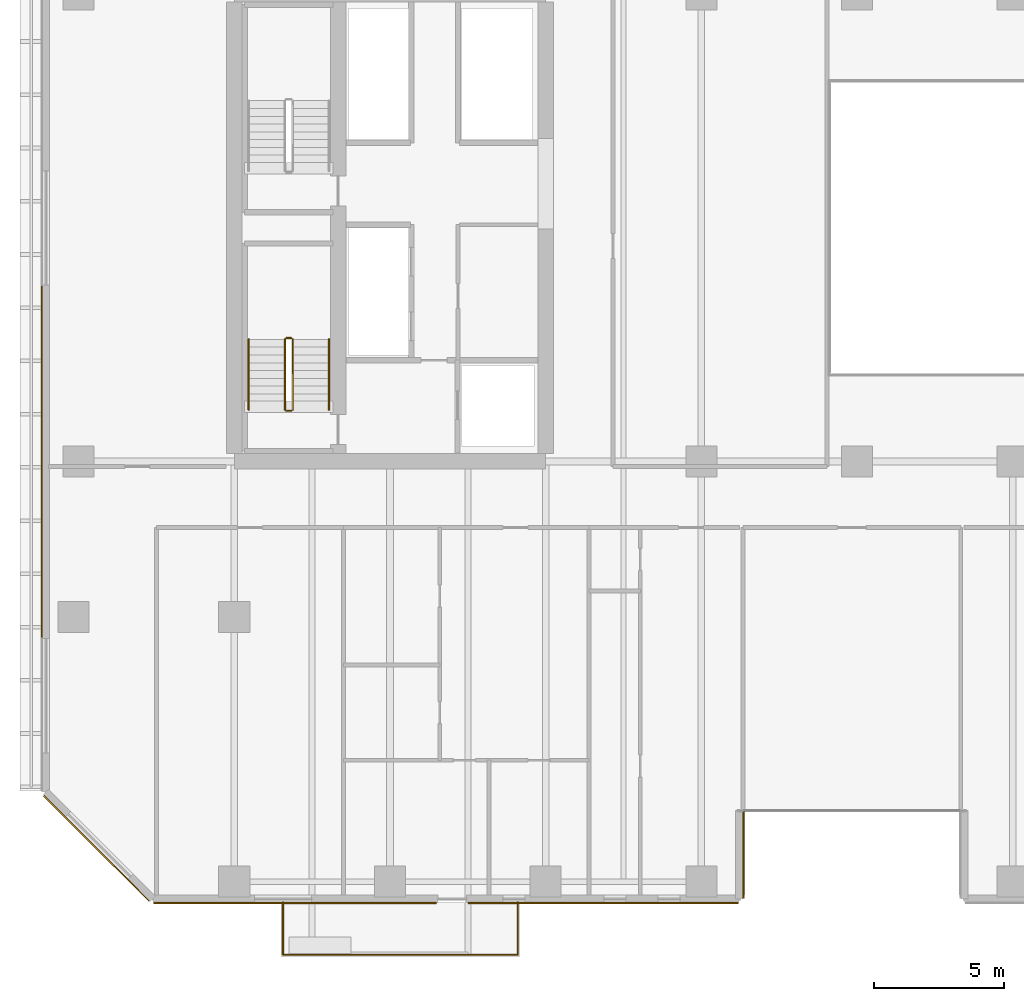
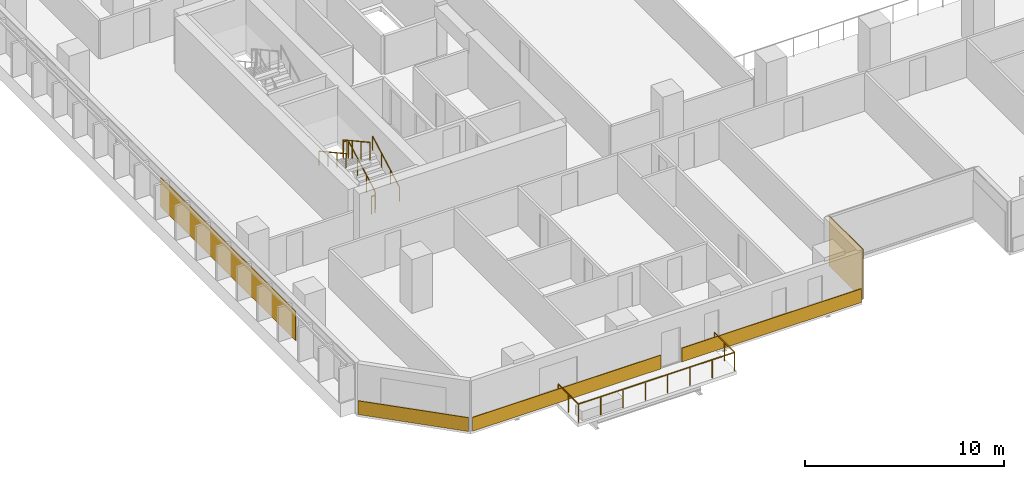
# One storey, part 18 of 26: 7 railings, 5 coverings.
"""IFC4 building model written with IfcOpenShell, lengths in metres."""

from ifc_helpers import new_model, si_unit, direction, frame, origin, origin_2d, place, context, subcontext, project, spatial, rectangle, extrude, material, layer, layer_set, type_object, element, save


model = new_model("IFC4")

# Units and contexts
model_context = context("Model", 3, precision=1e-05, world=origin(), true_north=direction((0.0, 1.0)))
body_context = subcontext(model_context, "Body", "Model", "MODEL_VIEW")
ifc_project = project(units=[si_unit("LENGTHUNIT", "METRE"), si_unit("AREAUNIT", "SQUARE_METRE"), si_unit("VOLUMEUNIT", "CUBIC_METRE"), si_unit("PLANEANGLEUNIT", "RADIAN"), si_unit("MASSUNIT", "GRAM", prefix="KILO")], contexts=[model_context])

# Site, building, storey
site_placement = place(None, origin())
site = spatial("IfcSite", under=ifc_project, at=site_placement, CompositionType="ELEMENT")
building_placement = place(site_placement, origin())
building = spatial("IfcBuilding", under=site, at=building_placement, Name="Tanjung Sevakor Pilgrim Tower", CompositionType="ELEMENT")
storey_placement = place(building_placement, frame((0.0, 0.0, 48.840087890625)))
storey = spatial("IfcBuildingStorey", under=building, at=storey_placement, Name="L13", CompositionType="ELEMENT", Elevation=48.840087890625)

# Coverings
ifc_material_1 = material(Name="Reconstructed Limestone Cladding", Category="masonry")
ifc_layer = layer(ifc_material_1, 0.044921875)
ifc_layer_set = layer_set([ifc_layer], Name="COV-CLAD-LIMESTONE")
covering_type = type_object("IfcCoveringType", Name="COV-CLAD-LIMESTONE", PredefinedType="CLADDING", material=ifc_layer_set)
covering_1_placement = place(storey_placement, frame((26.343994140625, 7.577392578125, 0.009765625), z_axis=(0.0, 0.0, 1.0), x_axis=(1.0, 0.0, 0.0)))
element("IfcCovering", 1, at=covering_1_placement, inside=storey, type_object=covering_type, Name="L13 Warm Limestone Sill Spandrel EW-L13-MAIN-1-1", PredefinedType="CLADDING", context=body_context, shape_type="SweptSolid", body=[
    extrude(rectangle(XDim=10.89208984375, YDim=0.044921875, at=origin_2d()), origin(), (0.0, 0.0, 1.0), 0.840087890625),
])
covering_2_placement = place(storey_placement, frame((38.215087890625, 7.577392578125, 0.009765625), z_axis=(0.0, 0.0, 1.0), x_axis=(1.0, 0.0, 0.0)))
element("IfcCovering", 2, at=covering_2_placement, inside=storey, type_object=covering_type, Name="L13 Warm Limestone Sill Spandrel EW-L13-MAIN-1-2", PredefinedType="CLADDING", context=body_context, shape_type="SweptSolid", body=[
    extrude(rectangle(XDim=10.409912109375, YDim=0.044921875, at=origin_2d()), origin(), (0.0, 0.0, 1.0), 0.840087890625),
])
covering_3_placement = place(storey_placement, frame((43.62255859375, 9.43994140625, 0.019775390625), z_axis=(0.0, 0.0, 1.0), x_axis=(0.0, 1.0, 0.0)))
element("IfcCovering", 3, at=covering_3_placement, inside=storey, type_object=covering_type, Name="L13 Warm Limestone Wall Cladding EW-L13-MAIN-2", PredefinedType="CLADDING", context=body_context, shape_type="SweptSolid", body=[
    extrude(rectangle(XDim=3.360107421875, YDim=0.044921875, at=origin_2d()), origin(), (0.0, 0.0, 1.0), 3.0400390625),
])
covering_4_placement = place(storey_placement, frame((16.577392578125, 24.58447265625, 0.849853515625), z_axis=(0.0, 0.0, 1.0), x_axis=(0.0, -1.0, 0.0)))
element("IfcCovering", 4, at=covering_4_placement, inside=storey, type_object=covering_type, Name="L13 Warm Limestone Pier Panel EW-L13-MAIN-15-2", PredefinedType="CLADDING", context=body_context, shape_type="SweptSolid", body=[
    extrude(rectangle(XDim=13.531005859375, YDim=0.044921875, at=origin_2d()), origin(), (0.0, 0.0, 1.0), 1.81005859375),
])
covering_5_placement = place(storey_placement, frame((18.68408203125, 9.68408203125, 0.009765625), z_axis=(0.0, 0.0, 1.0), x_axis=(0.707106781187, -0.707106781187, 0.0)))
element("IfcCovering", 5, at=covering_5_placement, inside=storey, type_object=covering_type, Name="L13 Warm Limestone Sill Spandrel EW-CHM-L13-MAIN-15-1", PredefinedType="CLADDING", context=body_context, shape_type="SweptSolid", body=[
    extrude(rectangle(XDim=5.74365234375, YDim=0.044921875, at=origin_2d()), origin(), (0.0, 0.0, 1.0), 0.840087890625),
])

# Railings
ifc_material_2 = material(Name="Laminated Glass and Aluminium", Category="aluminium")
railing_type_1 = type_object("IfcRailingType", Name="RL-BAL-BALUST", PredefinedType="BALUSTRADE", material=ifc_material_2)
railing_1_placement = place(storey_placement, frame((25.8798828125, 7.60009765625, 0.0)))
element("IfcRailing", 6, at=railing_1_placement, inside=storey, type_object=railing_type_1, Name="L13 Loggia Balustrade MAIN-S1", PredefinedType="BALUSTRADE", context=body_context, shape_type="SweptSolid", body=[
    extrude(rectangle(XDim=0.0479, YDim=0.0479), frame((0.0, 0.0, 1.1259765625), z_axis=(0.0, -1.0, 0.0), x_axis=(1.0, 0.0, 0.0)), (0.0, 0.0, 1.0), 2.02001953125),
    extrude(rectangle(XDim=0.0479, YDim=0.0479), frame((0.0, -2.02001953125, 1.1259765625), z_axis=(1.0, 0.0, 0.0), x_axis=(0.0, 1.0, 0.0)), (0.0, 0.0, 1.0), 9.0400390625),
    extrude(rectangle(XDim=0.0479, YDim=0.0479), frame((9.0400390625, -2.02001953125, 1.1259765625), z_axis=(0.0, 1.0, 0.0), x_axis=(-1.0, 0.0, 0.0)), (0.0, 0.0, 1.0), 2.02001953125),
    extrude(rectangle(XDim=0.042, YDim=0.042), origin(), (0.0, 0.0, 1.0), 1.101806640625),
    extrude(rectangle(XDim=0.042, YDim=0.042), frame((0.0, -1.010009765625, 0.0)), (0.0, 0.0, 1.0), 1.101806640625),
    extrude(rectangle(XDim=0.042, YDim=0.042), frame((0.0, -2.02001953125, 0.0)), (0.0, 0.0, 1.0), 1.101806640625),
    extrude(rectangle(XDim=0.042, YDim=0.042), frame((1.29150390625, -2.02001953125, 0.0)), (0.0, 0.0, 1.0), 1.101806640625),
    extrude(rectangle(XDim=0.042, YDim=0.042), frame((2.582763671875, -2.02001953125, 0.0)), (0.0, 0.0, 1.0), 1.101806640625),
    extrude(rectangle(XDim=0.042, YDim=0.042), frame((3.874267578125, -2.02001953125, 0.0)), (0.0, 0.0, 1.0), 1.101806640625),
    extrude(rectangle(XDim=0.042, YDim=0.042), frame((5.165771484375, -2.02001953125, 0.0)), (0.0, 0.0, 1.0), 1.101806640625),
    extrude(rectangle(XDim=0.042, YDim=0.042), frame((6.457275390625, -2.02001953125, 0.0)), (0.0, 0.0, 1.0), 1.101806640625),
    extrude(rectangle(XDim=0.042, YDim=0.042), frame((7.74853515625, -2.02001953125, 0.0)), (0.0, 0.0, 1.0), 1.101806640625),
    extrude(rectangle(XDim=0.042, YDim=0.042), frame((9.0400390625, -2.02001953125, 0.0)), (0.0, 0.0, 1.0), 1.101806640625),
    extrude(rectangle(XDim=0.042, YDim=0.042), frame((9.0400390625, -1.010009765625, 0.0)), (0.0, 0.0, 1.0), 1.101806640625),
    extrude(rectangle(XDim=0.042, YDim=0.042), frame((9.0400390625, 0.0, 0.0)), (0.0, 0.0, 1.0), 1.101806640625),
])
ifc_material_3 = material(Name="Steel S355J2", Category="steel")
railing_type_2 = type_object("IfcRailingType", Name="RL-STAIR-GUARD", PredefinedType="GUARDRAIL", material=ifc_material_3)
railing_2_placement = place(storey_placement, frame((26.25, 26.60009765625, 0.164794921875)))
element("IfcRailing", 7, at=railing_2_placement, inside=storey, type_object=railing_type_2, Name="L13 TS-W1 stair guard 1", PredefinedType="GUARDRAIL", context=body_context, shape_type="SweptSolid", body=[
    extrude(rectangle(XDim=0.0479, YDim=0.0479), frame((0.0, 0.0, 1.076171875), z_axis=(0.0, 0.876197507361, 0.481952205197), x_axis=(-1.0, 0.0, 0.0)), (0.0, 0.0, 1.0), 3.08154296875),
    extrude(rectangle(XDim=0.042, YDim=0.042), origin(), (0.0, 0.0, 1.0), 1.052001953125),
    extrude(rectangle(XDim=0.042, YDim=0.042), frame((0.0, 0.89990234375, 0.4951171875)), (0.0, 0.0, 1.0), 1.052001953125),
    extrude(rectangle(XDim=0.042, YDim=0.042), frame((0.0, 1.800048828125, 0.989990234375)), (0.0, 0.0, 1.0), 1.052001953125),
    extrude(rectangle(XDim=0.042, YDim=0.042), frame((0.0, 2.699951171875, 1.485107421875)), (0.0, 0.0, 1.0), 1.052001953125),
])
railing_3_placement = place(storey_placement, frame((26.199951171875, 29.35009765625, 1.64990234375)))
element("IfcRailing", 8, at=railing_3_placement, inside=storey, type_object=railing_type_2, Name="L13 TS-W1 stair guard 2", PredefinedType="GUARDRAIL", context=body_context, shape_type="SweptSolid", body=[
    extrude(rectangle(XDim=0.0479, YDim=0.0479), frame((0.0, 0.0, 1.076171875), z_axis=(-1.0, 0.0, 0.0), x_axis=(0.0, -1.0, 0.0)), (0.0, 0.0, 1.0), 0.199951171875),
    extrude(rectangle(XDim=0.042, YDim=0.042), origin(), (0.0, 0.0, 1.0), 1.052001953125),
    extrude(rectangle(XDim=0.042, YDim=0.042), frame((-0.199951171875, 0.0, 0.0)), (0.0, 0.0, 1.0), 1.052001953125),
])
railing_4_placement = place(storey_placement, frame((25.949951171875, 29.300048828125, 1.81494140625)))
element("IfcRailing", 9, at=railing_4_placement, inside=storey, type_object=railing_type_2, Name="L13 TS-W1 stair guard 3", PredefinedType="GUARDRAIL", context=body_context, shape_type="SweptSolid", body=[
    extrude(rectangle(XDim=0.0479, YDim=0.0479), frame((0.0, 0.0, 1.076171875), z_axis=(0.0, -0.876230963923, 0.481891375584), x_axis=(1.0, 0.0, 0.0)), (0.0, 0.0, 1.0), 3.081298828125),
    extrude(rectangle(XDim=0.042, YDim=0.042), origin(), (0.0, 0.0, 1.0), 1.052001953125),
    extrude(rectangle(XDim=0.042, YDim=0.042), frame((0.0, -0.89990234375, 0.494873046875)), (0.0, 0.0, 1.0), 1.052001953125),
    extrude(rectangle(XDim=0.042, YDim=0.042), frame((0.0, -1.800048828125, 0.989990234375)), (0.0, 0.0, 1.0), 1.052001953125),
    extrude(rectangle(XDim=0.042, YDim=0.042), frame((0.0, -2.699951171875, 1.48486328125)), (0.0, 0.0, 1.0), 1.052001953125),
])
railing_5_placement = place(storey_placement, frame((26.199951171875, 26.550048828125, 0.0)))
element("IfcRailing", 10, at=railing_5_placement, inside=storey, type_object=railing_type_2, Name="L13 TS-W1 stair guard 4", PredefinedType="GUARDRAIL", context=body_context, shape_type="SweptSolid", body=[
    extrude(rectangle(XDim=0.0479, YDim=0.0479), frame((0.0, 0.0, 1.076171875), z_axis=(-1.0, 0.0, 0.0), x_axis=(0.0, -1.0, 0.0)), (0.0, 0.0, 1.0), 0.199951171875),
    extrude(rectangle(XDim=0.042, YDim=0.042), origin(), (0.0, 0.0, 1.0), 1.052001953125),
    extrude(rectangle(XDim=0.042, YDim=0.042), frame((-0.199951171875, 0.0, 0.0)), (0.0, 0.0, 1.0), 1.052001953125),
])
ifc_material_4 = material(Name="Steel S355J2", Category="steel")
railing_type_3 = type_object("IfcRailingType", Name="RL-STAIR-HAND", PredefinedType="HANDRAIL", material=ifc_material_4)
railing_6_placement = place(storey_placement, frame((27.64990234375, 26.60009765625, 0.164794921875)))
element("IfcRailing", 11, at=railing_6_placement, inside=storey, type_object=railing_type_3, Name="L13 TS-W1 stair handrail 1", PredefinedType="HANDRAIL", context=body_context, shape_type="SweptSolid", body=[
    extrude(rectangle(XDim=0.0479, YDim=0.0479), frame((0.0, 0.0, 0.8759765625), z_axis=(0.0, 0.876197507361, 0.481952205197), x_axis=(-1.0, 0.0, 0.0)), (0.0, 0.0, 1.0), 3.08154296875),
    extrude(rectangle(XDim=0.042, YDim=0.042), origin(), (0.0, 0.0, 1.0), 0.851806640625),
    extrude(rectangle(XDim=0.042, YDim=0.042), frame((0.0, 0.89990234375, 0.4951171875)), (0.0, 0.0, 1.0), 0.851806640625),
    extrude(rectangle(XDim=0.042, YDim=0.042), frame((0.0, 1.800048828125, 0.989990234375)), (0.0, 0.0, 1.0), 0.851806640625),
    extrude(rectangle(XDim=0.042, YDim=0.042), frame((0.0, 2.699951171875, 1.485107421875)), (0.0, 0.0, 1.0), 0.851806640625),
])
railing_7_placement = place(storey_placement, frame((24.550048828125, 29.300048828125, 1.81494140625)))
element("IfcRailing", 12, at=railing_7_placement, inside=storey, type_object=railing_type_3, Name="L13 TS-W1 stair handrail 2", PredefinedType="HANDRAIL", context=body_context, shape_type="SweptSolid", body=[
    extrude(rectangle(XDim=0.0479, YDim=0.0479), frame((0.0, 0.0, 0.8759765625), z_axis=(0.0, -0.876230963923, 0.481891375584), x_axis=(1.0, 0.0, 0.0)), (0.0, 0.0, 1.0), 3.081298828125),
    extrude(rectangle(XDim=0.042, YDim=0.042), origin(), (0.0, 0.0, 1.0), 0.851806640625),
    extrude(rectangle(XDim=0.042, YDim=0.042), frame((0.0, -0.89990234375, 0.494873046875)), (0.0, 0.0, 1.0), 0.851806640625),
    extrude(rectangle(XDim=0.042, YDim=0.042), frame((0.0, -1.800048828125, 0.989990234375)), (0.0, 0.0, 1.0), 0.851806640625),
    extrude(rectangle(XDim=0.042, YDim=0.042), frame((0.0, -2.699951171875, 1.48486328125)), (0.0, 0.0, 1.0), 0.851806640625),
])

save(model, "model.ifc")
